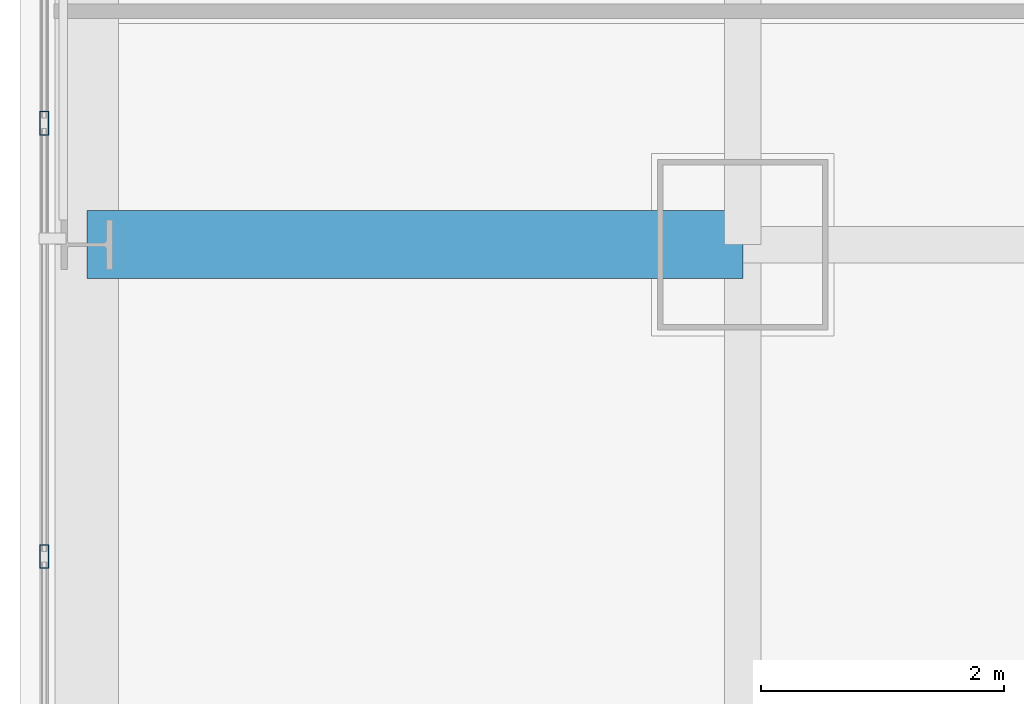
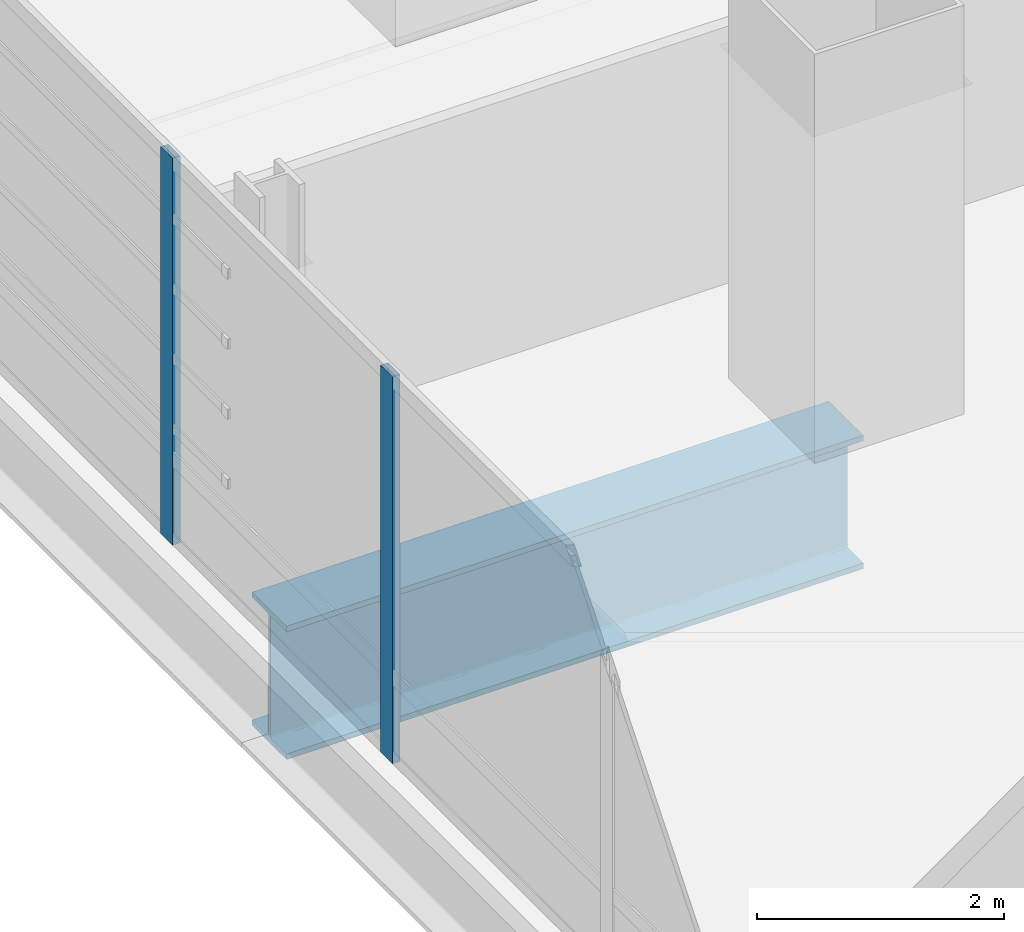
# One storey, part 9 of 36: 2 members, 1 beam, 1 element without a shape of its own.
"""IFC4 building model written with IfcOpenShell, lengths in metres."""

from ifc_helpers import new_model, si_unit, direction, frame, origin, origin_2d, place, context, subcontext, project, spatial, hollow_rectangle, i_section, extrude, material, material_profile, profile_set, type_object, element, aggregate, save


model = new_model("IFC4")

# Units and contexts
model_context = context("Model", 3, precision=1e-05, world=origin(), true_north=direction((0.0, 1.0)))
body_context = subcontext(model_context, "Body", "Model", "MODEL_VIEW")
ifc_project = project(units=[si_unit("LENGTHUNIT", "METRE"), si_unit("AREAUNIT", "SQUARE_METRE"), si_unit("VOLUMEUNIT", "CUBIC_METRE"), si_unit("PLANEANGLEUNIT", "RADIAN"), si_unit("MASSUNIT", "GRAM", prefix="KILO")], contexts=[model_context])

# Site, building, storey
site_placement = place(None, origin())
site = spatial("IfcSite", under=ifc_project, at=site_placement, CompositionType="ELEMENT")
building_placement = place(site_placement, origin())
building = spatial("IfcBuilding", under=site, at=building_placement, Name="Punatoya Terracotta Tower", CompositionType="ELEMENT")
storey_placement = place(building_placement, frame((0.0, 0.0, 184.35009765625)))
storey = spatial("IfcBuildingStorey", under=building, at=storey_placement, Name="L43", CompositionType="ELEMENT", Elevation=184.35009765625)

# Beam
ifc_material_1 = material(Name="Steel S460", Category="steel")
ifc_material_profile_1 = material_profile(ifc_material_1, i_section(OverallWidth=0.56005859375, OverallDepth=1.320068359375, WebThickness=0.035888671875, FlangeThickness=0.054931640625, FilletRadius=0.01806640625, at=origin_2d()))
ifc_profile_set_1 = profile_set([ifc_material_profile_1], Name="Steel S460")
beam_type = type_object("IfcBeamType", Name="BM-TG-BLK", PredefinedType="BEAM", material=ifc_profile_set_1)
beam_placement = place(storey_placement, frame((-24.5, -3.39990234375, -0.880126953125), z_axis=(1.0, 0.0, 0.0), x_axis=(0.0, 1.0, 0.0)))
element("IfcBeam", 1, at=beam_placement, inside=storey, type_object=beam_type, Name="BM-L43-CANT-W2", PredefinedType="BEAM", context=body_context, shape_type="SweptSolid", body=[
    extrude(i_section(OverallWidth=0.56005859375, OverallDepth=1.320068359375, WebThickness=0.035888671875, FlangeThickness=0.054931640625, FilletRadius=0.01806640625, at=origin_2d()), origin(), (0.0, 0.0, 1.0), 5.39990234375),
])

# Curtain wall, members
ifc_material_2 = material(Name="Aluminium 6063-T6 + Double Low-E Glass", Category="aluminium")
curtain_wall_type = type_object("IfcCurtainWallType", Name="CW-M2", PredefinedType="NOTDEFINED", material=ifc_material_2)
curtain_wall_placement = place(storey_placement, origin())
curtain_wall = element("IfcCurtainWall", 2, at=curtain_wall_placement, inside=storey, type_object=curtain_wall_type, Name="L43 Curtain Wall CW-L43-W13-1", PredefinedType="NOTDEFINED")
ifc_material_3 = material(Name="Aluminium 6063-T6", Category="aluminium")
ifc_material_profile_2 = material_profile(ifc_material_3, hollow_rectangle(XDim=0.072021484375, YDim=0.195068359375, WallThickness=0.00439453125, at=origin_2d()))
ifc_profile_set_2 = profile_set([ifc_material_profile_2], Name="Aluminium 6063-T6")
member_type = type_object("IfcMemberType", Name="CW-MUL-M2", PredefinedType="MULLION", material=ifc_profile_set_2)
member_1_placement = place(storey_placement, frame((-24.85009765625, -2.39990234375, 0.0), z_axis=(0.0, 0.0, 1.0), x_axis=(1.0, 0.0, 0.0)))
member_1 = element("IfcMember", 3, at=member_1_placement, type_object=member_type, Name="CW-L43-W13-1 Mullion 05", PredefinedType="MULLION", context=body_context, shape_type="SweptSolid", body=[
    extrude(hollow_rectangle(XDim=0.072021484375, YDim=0.195068359375, WallThickness=0.00439453125, at=origin_2d()), origin(), (0.0, 0.0, 1.0), 3.829833984375),
])
member_2_placement = place(storey_placement, frame((-24.85009765625, -5.96728515625, 0.0), z_axis=(0.0, 0.0, 1.0), x_axis=(1.0, 0.0, 0.0)))
member_2 = element("IfcMember", 4, at=member_2_placement, type_object=member_type, Name="CW-L43-W13-1 Mullion 06", PredefinedType="MULLION", context=body_context, shape_type="SweptSolid", body=[
    extrude(hollow_rectangle(XDim=0.072021484375, YDim=0.195068359375, WallThickness=0.00439453125, at=origin_2d()), origin(), (0.0, 0.0, 1.0), 3.829833984375),
])
aggregate(curtain_wall, [member_1, member_2])

save(model, "model.ifc")
